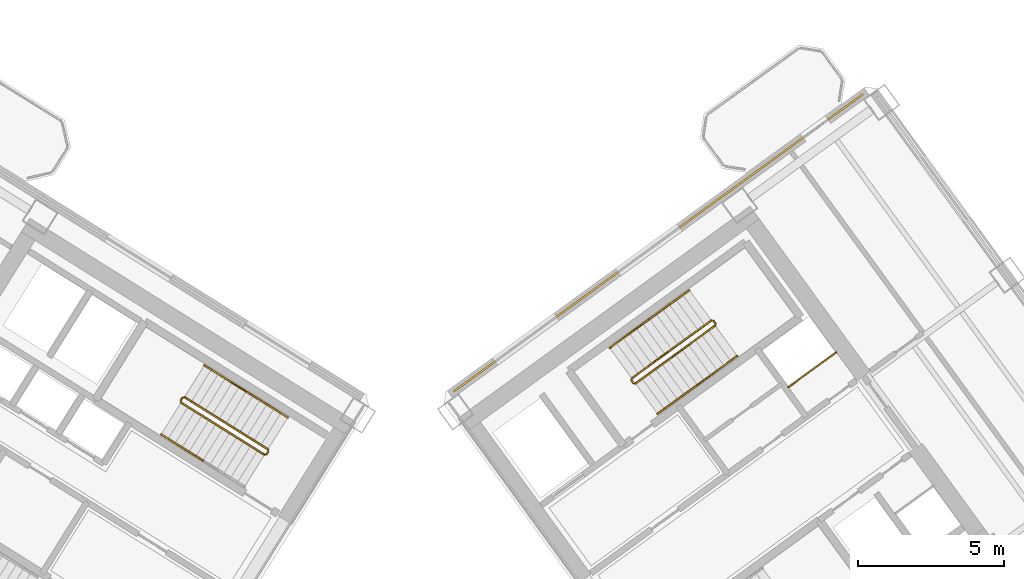
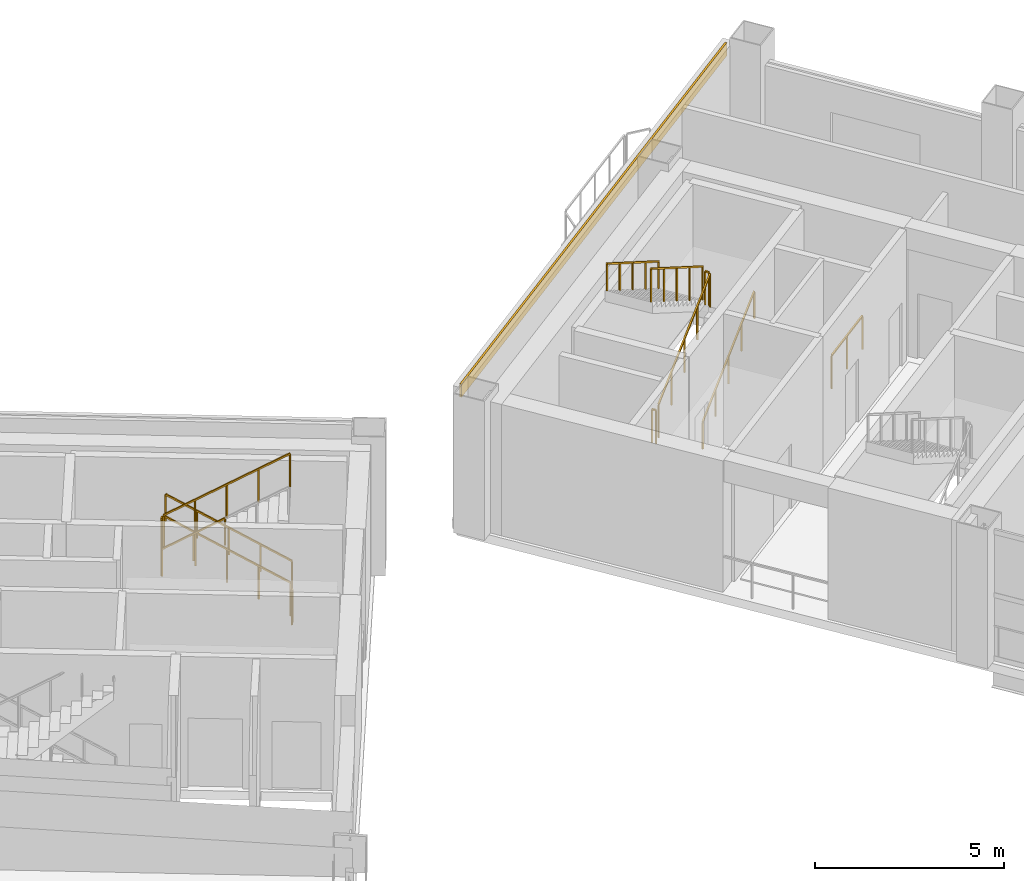
# One storey, part 17 of 18: 16 railings, 1 covering.
"""IFC4 building model written with IfcOpenShell, lengths in metres."""

from ifc_helpers import new_model, si_unit, direction, frame, origin, origin_2d, place, context, subcontext, project, spatial, rectangle, extrude, source, transform, mapped, material, layer, layer_set, type_object, element, save


model = new_model("IFC4")

# Units and contexts
model_context = context("Model", 3, precision=1e-05, world=origin(), true_north=direction((0.0, 1.0)))
body_context = subcontext(model_context, "Body", "Model", "MODEL_VIEW")
ifc_project = project(units=[si_unit("LENGTHUNIT", "METRE"), si_unit("AREAUNIT", "SQUARE_METRE"), si_unit("VOLUMEUNIT", "CUBIC_METRE"), si_unit("PLANEANGLEUNIT", "RADIAN"), si_unit("MASSUNIT", "GRAM", prefix="KILO")], contexts=[model_context])

# Site, building, storey
site_placement = place(None, origin())
site = spatial("IfcSite", under=ifc_project, at=site_placement, CompositionType="ELEMENT")
building_placement = place(site_placement, origin())
building = spatial("IfcBuilding", under=site, at=building_placement, Name="Tlacorven Tower", CompositionType="ELEMENT")
storey_placement = place(building_placement, frame((0.0, 0.0, 136.199951171875)))
storey = spatial("IfcBuildingStorey", under=building, at=storey_placement, Name="L34", CompositionType="ELEMENT", Elevation=136.199951171875)

# Railing
ifc_material_1 = material(Name="Aluminium and painted steel balustrade", Category="steel")
railing_type_1 = type_object("IfcRailingType", Name="RL-GRD-1100", PredefinedType="GUARDRAIL", material=ifc_material_1)
shared_shape_1 = source(origin(), body_context, "Body", "SweptSolid", [
    extrude(rectangle(XDim=0.048095703125, YDim=0.048095703125, at=origin_2d()), frame((0.0, 0.0, 1.076171875), z_axis=(0.808947177504, 0.587881334972, 0.0), x_axis=(-0.587881334972, 0.808947177504, 0.0)), (0.0, 0.0, 1.0), 2.0),
    extrude(rectangle(XDim=0.0419921875, YDim=0.0419921875, at=origin_2d()), origin(), (0.0, 0.0, 1.0), 1.052001953125),
    extrude(rectangle(XDim=0.0419921875, YDim=0.0419921875, at=origin_2d()), frame((0.80908203125, 0.587890625, 0.0)), (0.0, 0.0, 1.0), 1.052001953125),
    extrude(rectangle(XDim=0.0419921875, YDim=0.0419921875, at=origin_2d()), frame((1.617919921875, 1.17578125, 0.0)), (0.0, 0.0, 1.0), 1.052001953125),
])
railing_1_placement = place(storey_placement, frame((55.506103515625, 25.438232421875, 0.0)))
element("IfcRailing", 1, at=railing_1_placement, inside=storey, type_object=railing_type_1, Name="L34 Electrical Riser E Shaft Guard 1", PredefinedType="GUARDRAIL", context=body_context, shape_type="MappedRepresentation", body=[
    mapped(shared_shape_1, transform((0.0, 0.0, 0.0), scale=1.0)),
])

# Covering
ifc_material_2 = material(Name="Precast concrete C45/55", Category="concrete")
ifc_layer = layer(ifc_material_2, 0.06005859375)
ifc_layer_set = layer_set([ifc_layer], Name="Precast concrete C45/55")
covering_type = type_object("IfcCoveringType", Name="CV-CLD-TERC", PredefinedType="CLADDING", material=ifc_layer_set)
shared_shape_2 = source(origin(), body_context, "Body", "SweptSolid", [
    extrude(rectangle(XDim=17.287353515625, YDim=0.06005859375, at=origin_2d()), origin(), (0.0, 0.0, 1.0), 0.419921875),
])
covering_placement = place(storey_placement, frame((51.05224609375, 30.360595703125, 3.830078125), z_axis=(0.0, 0.0, 1.0), x_axis=(0.809017097486, 0.587785110372, 0.0)))
element("IfcCovering", 2, at=covering_placement, inside=storey, type_object=covering_type, Name="L34 Masonry-Frame Spandrel Cladding 4", PredefinedType="CLADDING", context=body_context, shape_type="MappedRepresentation", body=[
    mapped(shared_shape_2, transform((0.0, 0.0, 0.0), scale=1.0)),
])

# Railings
shared_shape_3 = source(origin(), body_context, "Body", "SweptSolid", [
    extrude(rectangle(XDim=0.048095703125, YDim=0.048095703125, at=origin_2d()), frame((0.0, 0.0, 1.076171875), z_axis=(-0.530546985787, -0.847655529016, 0.0), x_axis=(0.847655529016, -0.530546985787, 0.0)), (0.0, 0.0, 1.0), 0.1201171875),
    extrude(rectangle(XDim=0.0419921875, YDim=0.0419921875, at=origin_2d()), origin(), (0.0, 0.0, 1.0), 1.052001953125),
    extrude(rectangle(XDim=0.0419921875, YDim=0.0419921875, at=origin_2d()), frame((-0.063720703125, -0.101806640625, 0.0)), (0.0, 0.0, 1.0), 1.052001953125),
])
for number, where, name in (
    (3, (34.7939453125, 25.07421875, 2.25), "L34 ST-W2 stair guard 2"),
    (4, (37.728271484375, 23.24072265625, 0.0), "L34 ST-W2 stair guard 4"),
):
    element("IfcRailing", number, at=place(storey_placement, frame(where)), inside=storey, type_object=railing_type_1, Name=name, PredefinedType="GUARDRAIL", context=body_context, shape_type="MappedRepresentation", body=[
        mapped(shared_shape_3, transform((0.0, 0.0, 0.0), scale=1.0)),
    ])
shared_shape_4 = source(origin(), body_context, "Body", "SweptSolid", [
    extrude(rectangle(XDim=0.048095703125, YDim=0.048095703125, at=origin_2d()), frame((0.0, 0.0, 1.076171875), z_axis=(-0.721354668439, 0.45076168254, 0.525795918465), x_axis=(-0.529927092104, -0.84804320471, 0.0)), (0.0, 0.0, 1.0), 3.949951171875),
    extrude(rectangle(XDim=0.0419921875, YDim=0.0419921875, at=origin_2d()), origin(), (0.0, 0.0, 1.0), 1.052001953125),
    extrude(rectangle(XDim=0.0419921875, YDim=0.0419921875, at=origin_2d()), frame((-0.71240234375, 0.445068359375, 0.519287109375)), (0.0, 0.0, 1.0), 1.052001953125),
    extrude(rectangle(XDim=0.0419921875, YDim=0.0419921875, at=origin_2d()), frame((-1.4248046875, 0.89013671875, 1.03857421875)), (0.0, 0.0, 1.0), 1.052001953125),
    extrude(rectangle(XDim=0.0419921875, YDim=0.0419921875, at=origin_2d()), frame((-2.136962890625, 1.33544921875, 1.5576171875)), (0.0, 0.0, 1.0), 1.052001953125),
    extrude(rectangle(XDim=0.0419921875, YDim=0.0419921875, at=origin_2d()), frame((-2.849365234375, 1.780517578125, 2.076904296875)), (0.0, 0.0, 1.0), 1.052001953125),
])
railing_2_placement = place(storey_placement, frame((37.712158203125, 23.3095703125, 0.173095703125)))
element("IfcRailing", 5, at=railing_2_placement, inside=storey, type_object=railing_type_1, Name="L34 ST-W2 stair guard 1", PredefinedType="GUARDRAIL", context=body_context, shape_type="MappedRepresentation", body=[
    mapped(shared_shape_4, transform((0.0, 0.0, 0.0), scale=1.0)),
])
railing_type_2 = type_object("IfcRailingType", Name="RL-HND-0900", PredefinedType="HANDRAIL", material=ifc_material_1)
shared_shape_5 = source(origin(), body_context, "Body", "SweptSolid", [
    extrude(rectangle(XDim=0.048095703125, YDim=0.048095703125, at=origin_2d()), frame((0.0, 0.0, 0.8759765625), z_axis=(-0.721340775611, 0.4507761838, 0.52580254617), x_axis=(-0.529946692594, -0.848030956397, 0.0)), (0.0, 0.0, 1.0), 1.97509765625),
    extrude(rectangle(XDim=0.0419921875, YDim=0.0419921875, at=origin_2d()), origin(), (0.0, 0.0, 1.0), 0.851806640625),
    extrude(rectangle(XDim=0.0419921875, YDim=0.0419921875, at=origin_2d()), frame((-0.71240234375, 0.4453125, 0.519287109375)), (0.0, 0.0, 1.0), 0.851806640625),
    extrude(rectangle(XDim=0.0419921875, YDim=0.0419921875, at=origin_2d()), frame((-1.4248046875, 0.890380859375, 1.03857421875)), (0.0, 0.0, 1.0), 0.851806640625),
])
railing_3_placement = place(storey_placement, frame((38.390625, 24.39501953125, 0.173095703125)))
element("IfcRailing", 6, at=railing_3_placement, inside=storey, type_object=railing_type_2, Name="L34 ST-W2 stair handrail 1", PredefinedType="HANDRAIL", context=body_context, shape_type="MappedRepresentation", body=[
    mapped(shared_shape_5, transform((0.0, 0.0, 0.0), scale=1.0)),
])
shared_shape_6 = source(origin(), body_context, "Body", "SweptSolid", [
    extrude(rectangle(XDim=0.048095703125, YDim=0.048095703125, at=origin_2d()), frame((0.0, 0.0, 0.8759765625), z_axis=(-0.721427851237, 0.45070698177, 0.525742400842), x_axis=(-0.52984217967, -0.848096259066, 0.0)), (0.0, 0.0, 1.0), 1.97509765625),
    extrude(rectangle(XDim=0.0419921875, YDim=0.0419921875, at=origin_2d()), origin(), (0.0, 0.0, 1.0), 0.851806640625),
    extrude(rectangle(XDim=0.0419921875, YDim=0.0419921875, at=origin_2d()), frame((-0.71240234375, 0.445068359375, 0.51904296875)), (0.0, 0.0, 1.0), 0.851806640625),
    extrude(rectangle(XDim=0.0419921875, YDim=0.0419921875, at=origin_2d()), frame((-1.4248046875, 0.89013671875, 1.038330078125)), (0.0, 0.0, 1.0), 0.851806640625),
])
railing_4_placement = place(storey_placement, frame((36.9658203125, 25.285400390625, 1.211669921875)))
element("IfcRailing", 7, at=railing_4_placement, inside=storey, type_object=railing_type_2, Name="L34 ST-W2 stair handrail 2", PredefinedType="HANDRAIL", context=body_context, shape_type="MappedRepresentation", body=[
    mapped(shared_shape_6, transform((0.0, 0.0, 0.0), scale=1.0)),
])
shared_shape_7 = source(origin(), body_context, "Body", "SweptSolid", [
    extrude(rectangle(XDim=0.048095703125, YDim=0.048095703125, at=origin_2d()), frame((0.0, 0.0, 1.076171875), z_axis=(0.721354668439, -0.45076168254, 0.525795918465), x_axis=(0.529927092104, 0.84804320471, 0.0)), (0.0, 0.0, 1.0), 3.949951171875),
    extrude(rectangle(XDim=0.0419921875, YDim=0.0419921875, at=origin_2d()), origin(), (0.0, 0.0, 1.0), 1.052001953125),
    extrude(rectangle(XDim=0.0419921875, YDim=0.0419921875, at=origin_2d()), frame((0.71240234375, -0.445068359375, 0.519287109375)), (0.0, 0.0, 1.0), 1.052001953125),
    extrude(rectangle(XDim=0.0419921875, YDim=0.0419921875, at=origin_2d()), frame((1.4248046875, -0.89013671875, 1.03857421875)), (0.0, 0.0, 1.0), 1.052001953125),
    extrude(rectangle(XDim=0.0419921875, YDim=0.0419921875, at=origin_2d()), frame((2.136962890625, -1.33544921875, 1.5576171875)), (0.0, 0.0, 1.0), 1.052001953125),
    extrude(rectangle(XDim=0.0419921875, YDim=0.0419921875, at=origin_2d()), frame((2.849365234375, -1.780517578125, 2.076904296875)), (0.0, 0.0, 1.0), 1.052001953125),
])
railing_5_placement = place(storey_placement, frame((34.746337890625, 24.903564453125, 2.423095703125)))
element("IfcRailing", 8, at=railing_5_placement, inside=storey, type_object=railing_type_1, Name="L34 ST-W2 stair guard 3", PredefinedType="GUARDRAIL", context=body_context, shape_type="MappedRepresentation", body=[
    mapped(shared_shape_7, transform((0.0, 0.0, 0.0), scale=1.0)),
])
shared_shape_8 = source(origin(), body_context, "Body", "SweptSolid", [
    extrude(rectangle(XDim=0.048095703125, YDim=0.048095703125, at=origin_2d()), frame((0.0, 0.0, 0.8759765625), z_axis=(0.721380964259, -0.45067768946, 0.525831840637), x_axis=(0.52984217967, 0.848096259066, 0.0)), (0.0, 0.0, 1.0), 1.97509765625),
    extrude(rectangle(XDim=0.0419921875, YDim=0.0419921875, at=origin_2d()), origin(), (0.0, 0.0, 1.0), 0.851806640625),
    extrude(rectangle(XDim=0.0419921875, YDim=0.0419921875, at=origin_2d()), frame((0.71240234375, -0.445068359375, 0.519287109375)), (0.0, 0.0, 1.0), 0.851806640625),
    extrude(rectangle(XDim=0.0419921875, YDim=0.0419921875, at=origin_2d()), frame((1.4248046875, -0.89013671875, 1.03857421875)), (0.0, 0.0, 1.0), 0.851806640625),
])
railing_6_placement = place(storey_placement, frame((34.06787109375, 23.81787109375, 2.423095703125)))
element("IfcRailing", 9, at=railing_6_placement, inside=storey, type_object=railing_type_2, Name="L34 ST-W2 stair handrail 3", PredefinedType="HANDRAIL", context=body_context, shape_type="MappedRepresentation", body=[
    mapped(shared_shape_8, transform((0.0, 0.0, 0.0), scale=1.0)),
])
shared_shape_9 = source(origin(), body_context, "Body", "SweptSolid", [
    extrude(rectangle(XDim=0.048095703125, YDim=0.048095703125, at=origin_2d()), frame((0.0, 0.0, 1.076171875), z_axis=(-0.587567097037, 0.809175448515, 0.0), x_axis=(-0.809175448515, -0.587567097037, 0.0)), (0.0, 0.0, 1.0), 0.1201171875),
    extrude(rectangle(XDim=0.0419921875, YDim=0.0419921875, at=origin_2d()), origin(), (0.0, 0.0, 1.0), 1.052001953125),
    extrude(rectangle(XDim=0.0419921875, YDim=0.0419921875, at=origin_2d()), frame((-0.070556640625, 0.09716796875, 0.0)), (0.0, 0.0, 1.0), 1.052001953125),
])
railing_7_placement = place(storey_placement, frame((53.006591796875, 27.6025390625, 2.25)))
element("IfcRailing", 10, at=railing_7_placement, inside=storey, type_object=railing_type_1, Name="L34 ST-E1 stair guard 2", PredefinedType="GUARDRAIL", context=body_context, shape_type="MappedRepresentation", body=[
    mapped(shared_shape_9, transform((0.0, 0.0, 0.0), scale=1.0)),
])
shared_shape_10 = source(origin(), body_context, "Body", "SweptSolid", [
    extrude(rectangle(XDim=0.048095703125, YDim=0.048095703125, at=origin_2d()), frame((0.0, 0.0, 1.076171875), z_axis=(-0.587201422542, 0.809440849824, 0.0), x_axis=(-0.809440849824, -0.587201422542, 0.0)), (0.0, 0.0, 1.0), 0.11962890625),
    extrude(rectangle(XDim=0.0419921875, YDim=0.0419921875, at=origin_2d()), origin(), (0.0, 0.0, 1.0), 1.052001953125),
    extrude(rectangle(XDim=0.0419921875, YDim=0.0419921875, at=origin_2d()), frame((-0.0703125, 0.096923828125, 0.0)), (0.0, 0.0, 1.0), 1.052001953125),
])
railing_8_placement = place(storey_placement, frame((50.207275390625, 25.56884765625, 0.0)))
element("IfcRailing", 11, at=railing_8_placement, inside=storey, type_object=railing_type_1, Name="L34 ST-E1 stair guard 4", PredefinedType="GUARDRAIL", context=body_context, shape_type="MappedRepresentation", body=[
    mapped(shared_shape_10, transform((0.0, 0.0, 0.0), scale=1.0)),
])
shared_shape_11 = source(origin(), body_context, "Body", "SweptSolid", [
    extrude(rectangle(XDim=0.048095703125, YDim=0.048095703125, at=origin_2d()), frame((0.0, 0.0, 1.076171875), z_axis=(0.688166980386, 0.499962520599, 0.525798141023), x_axis=(-0.587769819143, 0.809028206989, 0.0)), (0.0, 0.0, 1.0), 3.949951171875),
    extrude(rectangle(XDim=0.0419921875, YDim=0.0419921875, at=origin_2d()), origin(), (0.0, 0.0, 1.0), 1.052001953125),
    extrude(rectangle(XDim=0.0419921875, YDim=0.0419921875, at=origin_2d()), frame((0.6796875, 0.49365234375, 0.519287109375)), (0.0, 0.0, 1.0), 1.052001953125),
    extrude(rectangle(XDim=0.0419921875, YDim=0.0419921875, at=origin_2d()), frame((1.359130859375, 0.9873046875, 1.03857421875)), (0.0, 0.0, 1.0), 1.052001953125),
    extrude(rectangle(XDim=0.0419921875, YDim=0.0419921875, at=origin_2d()), frame((2.03857421875, 1.481201171875, 1.5576171875)), (0.0, 0.0, 1.0), 1.052001953125),
    extrude(rectangle(XDim=0.0419921875, YDim=0.0419921875, at=origin_2d()), frame((2.71826171875, 1.974853515625, 2.076904296875)), (0.0, 0.0, 1.0), 1.052001953125),
])
railing_9_placement = place(storey_placement, frame((50.27734375, 25.557861328125, 0.173095703125)))
element("IfcRailing", 12, at=railing_9_placement, inside=storey, type_object=railing_type_1, Name="L34 ST-E1 stair guard 1", PredefinedType="GUARDRAIL", context=body_context, shape_type="MappedRepresentation", body=[
    mapped(shared_shape_11, transform((0.0, 0.0, 0.0), scale=1.0)),
])
shared_shape_12 = source(origin(), body_context, "Body", "SweptSolid", [
    extrude(rectangle(XDim=0.048095703125, YDim=0.048095703125, at=origin_2d()), frame((0.0, 0.0, 1.076171875), z_axis=(-0.688166980386, -0.499962520599, 0.525798141023), x_axis=(0.587769819143, -0.809028206989, 0.0)), (0.0, 0.0, 1.0), 3.949951171875),
    extrude(rectangle(XDim=0.0419921875, YDim=0.0419921875, at=origin_2d()), origin(), (0.0, 0.0, 1.0), 1.052001953125),
    extrude(rectangle(XDim=0.0419921875, YDim=0.0419921875, at=origin_2d()), frame((-0.6796875, -0.49365234375, 0.519287109375)), (0.0, 0.0, 1.0), 1.052001953125),
    extrude(rectangle(XDim=0.0419921875, YDim=0.0419921875, at=origin_2d()), frame((-1.359130859375, -0.9873046875, 1.03857421875)), (0.0, 0.0, 1.0), 1.052001953125),
    extrude(rectangle(XDim=0.0419921875, YDim=0.0419921875, at=origin_2d()), frame((-2.03857421875, -1.481201171875, 1.5576171875)), (0.0, 0.0, 1.0), 1.052001953125),
    extrude(rectangle(XDim=0.0419921875, YDim=0.0419921875, at=origin_2d()), frame((-2.71826171875, -1.974853515625, 2.076904296875)), (0.0, 0.0, 1.0), 1.052001953125),
])
railing_10_placement = place(storey_placement, frame((52.8662109375, 27.710693359375, 2.423095703125)))
element("IfcRailing", 13, at=railing_10_placement, inside=storey, type_object=railing_type_1, Name="L34 ST-E1 stair guard 3", PredefinedType="GUARDRAIL", context=body_context, shape_type="MappedRepresentation", body=[
    mapped(shared_shape_12, transform((0.0, 0.0, 0.0), scale=1.0)),
])
shared_shape_13 = source(origin(), body_context, "Body", "SweptSolid", [
    extrude(rectangle(XDim=0.048095703125, YDim=0.048095703125, at=origin_2d()), frame((0.0, 0.0, 0.8759765625), z_axis=(0.688123352181, 0.499992627909, 0.525826610414), x_axis=(-0.587817375869, 0.808993654256, 0.0)), (0.0, 0.0, 1.0), 1.97509765625),
    extrude(rectangle(XDim=0.0419921875, YDim=0.0419921875, at=origin_2d()), origin(), (0.0, 0.0, 1.0), 0.851806640625),
    extrude(rectangle(XDim=0.0419921875, YDim=0.0419921875, at=origin_2d()), frame((0.6796875, 0.49365234375, 0.519287109375)), (0.0, 0.0, 1.0), 0.851806640625),
    extrude(rectangle(XDim=0.0419921875, YDim=0.0419921875, at=origin_2d()), frame((1.359130859375, 0.987548828125, 1.03857421875)), (0.0, 0.0, 1.0), 0.851806640625),
])
railing_11_placement = place(storey_placement, frame((51.029541015625, 24.522216796875, 0.173095703125)))
element("IfcRailing", 14, at=railing_11_placement, inside=storey, type_object=railing_type_2, Name="L34 ST-E1 stair handrail 1", PredefinedType="HANDRAIL", context=body_context, shape_type="MappedRepresentation", body=[
    mapped(shared_shape_13, transform((0.0, 0.0, 0.0), scale=1.0)),
])
shared_shape_14 = source(origin(), body_context, "Body", "SweptSolid", [
    extrude(rectangle(XDim=0.048095703125, YDim=0.048095703125, at=origin_2d()), frame((0.0, 0.0, 0.8759765625), z_axis=(0.688210611632, 0.49993240766, 0.525769666117), x_axis=(-0.587722256323, 0.809062759879, 0.0)), (0.0, 0.0, 1.0), 1.974853515625),
    extrude(rectangle(XDim=0.0419921875, YDim=0.0419921875, at=origin_2d()), origin(), (0.0, 0.0, 1.0), 0.851806640625),
    extrude(rectangle(XDim=0.0419921875, YDim=0.0419921875, at=origin_2d()), frame((0.6796875, 0.49365234375, 0.51904296875)), (0.0, 0.0, 1.0), 0.851806640625),
    extrude(rectangle(XDim=0.0419921875, YDim=0.0419921875, at=origin_2d()), frame((1.359130859375, 0.9873046875, 1.038330078125)), (0.0, 0.0, 1.0), 0.851806640625),
])
railing_12_placement = place(storey_placement, frame((52.388671875, 25.509765625, 1.211669921875)))
element("IfcRailing", 15, at=railing_12_placement, inside=storey, type_object=railing_type_2, Name="L34 ST-E1 stair handrail 2", PredefinedType="HANDRAIL", context=body_context, shape_type="MappedRepresentation", body=[
    mapped(shared_shape_14, transform((0.0, 0.0, 0.0), scale=1.0)),
])
shared_shape_15 = source(origin(), body_context, "Body", "SweptSolid", [
    extrude(rectangle(XDim=0.048095703125, YDim=0.048095703125, at=origin_2d()), frame((0.0, 0.0, 0.8759765625), z_axis=(-0.688123352181, -0.499992627909, 0.525826610414), x_axis=(0.587817375869, -0.808993654256, 0.0)), (0.0, 0.0, 1.0), 1.97509765625),
    extrude(rectangle(XDim=0.0419921875, YDim=0.0419921875, at=origin_2d()), origin(), (0.0, 0.0, 1.0), 0.851806640625),
    extrude(rectangle(XDim=0.0419921875, YDim=0.0419921875, at=origin_2d()), frame((-0.6796875, -0.49365234375, 0.519287109375)), (0.0, 0.0, 1.0), 0.851806640625),
    extrude(rectangle(XDim=0.0419921875, YDim=0.0419921875, at=origin_2d()), frame((-1.359130859375, -0.987548828125, 1.03857421875)), (0.0, 0.0, 1.0), 0.851806640625),
])
railing_13_placement = place(storey_placement, frame((52.11376953125, 28.746337890625, 2.423095703125)))
element("IfcRailing", 16, at=railing_13_placement, inside=storey, type_object=railing_type_2, Name="L34 ST-E1 stair handrail 3", PredefinedType="HANDRAIL", context=body_context, shape_type="MappedRepresentation", body=[
    mapped(shared_shape_15, transform((0.0, 0.0, 0.0), scale=1.0)),
])
shared_shape_16 = source(origin(), body_context, "Body", "SweptSolid", [
    extrude(rectangle(XDim=0.048095703125, YDim=0.048095703125, at=origin_2d()), frame((0.0, 0.0, 0.8759765625), z_axis=(-0.688168076653, -0.500025124854, 0.525737170829), x_axis=(0.587817375869, -0.808993654256, 0.0)), (0.0, 0.0, 1.0), 1.97509765625),
    extrude(rectangle(XDim=0.0419921875, YDim=0.0419921875, at=origin_2d()), origin(), (0.0, 0.0, 1.0), 0.851806640625),
    extrude(rectangle(XDim=0.0419921875, YDim=0.0419921875, at=origin_2d()), frame((-0.6796875, -0.49365234375, 0.51904296875)), (0.0, 0.0, 1.0), 0.851806640625),
    extrude(rectangle(XDim=0.0419921875, YDim=0.0419921875, at=origin_2d()), frame((-1.359130859375, -0.987548828125, 1.038330078125)), (0.0, 0.0, 1.0), 0.851806640625),
])
railing_14_placement = place(storey_placement, frame((50.754638671875, 27.7587890625, 3.461669921875)))
element("IfcRailing", 17, at=railing_14_placement, inside=storey, type_object=railing_type_2, Name="L34 ST-E1 stair handrail 4", PredefinedType="HANDRAIL", context=body_context, shape_type="MappedRepresentation", body=[
    mapped(shared_shape_16, transform((0.0, 0.0, 0.0), scale=1.0)),
])

save(model, "model.ifc")
